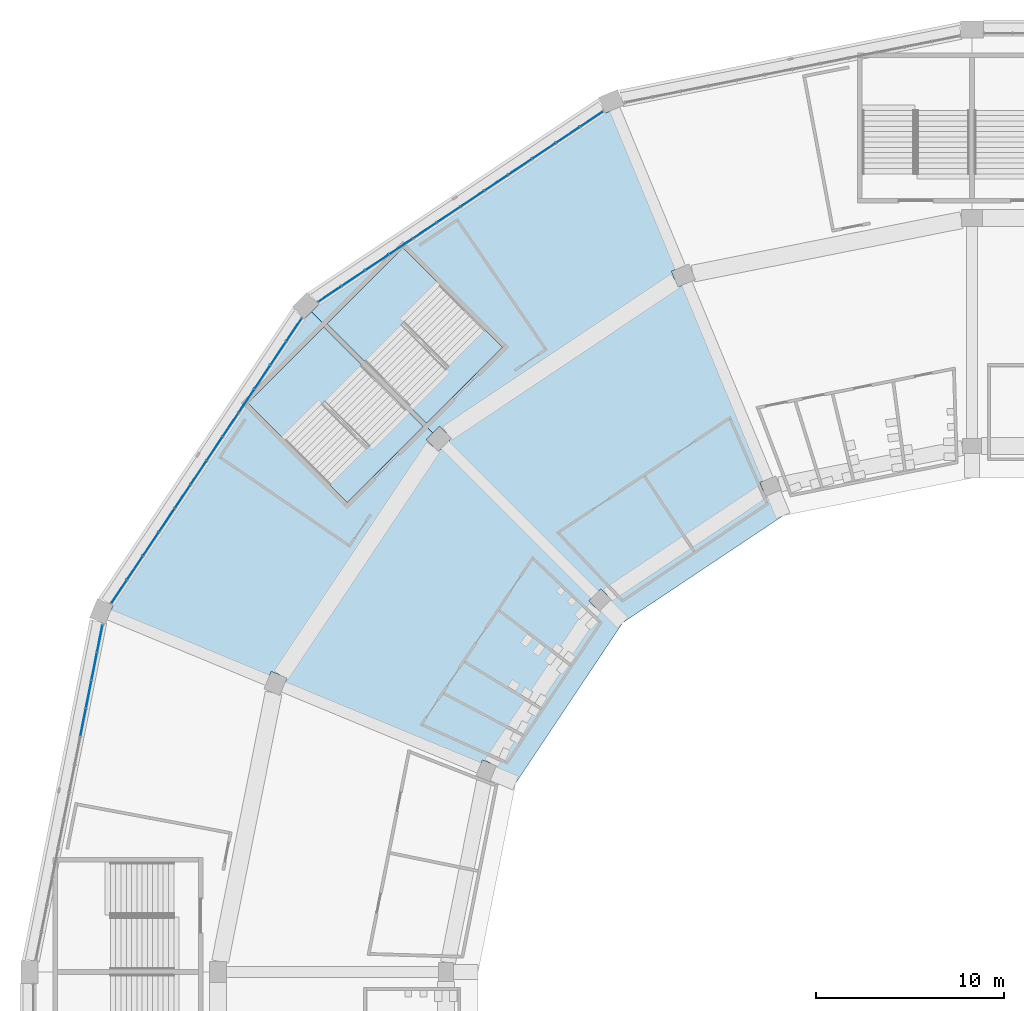
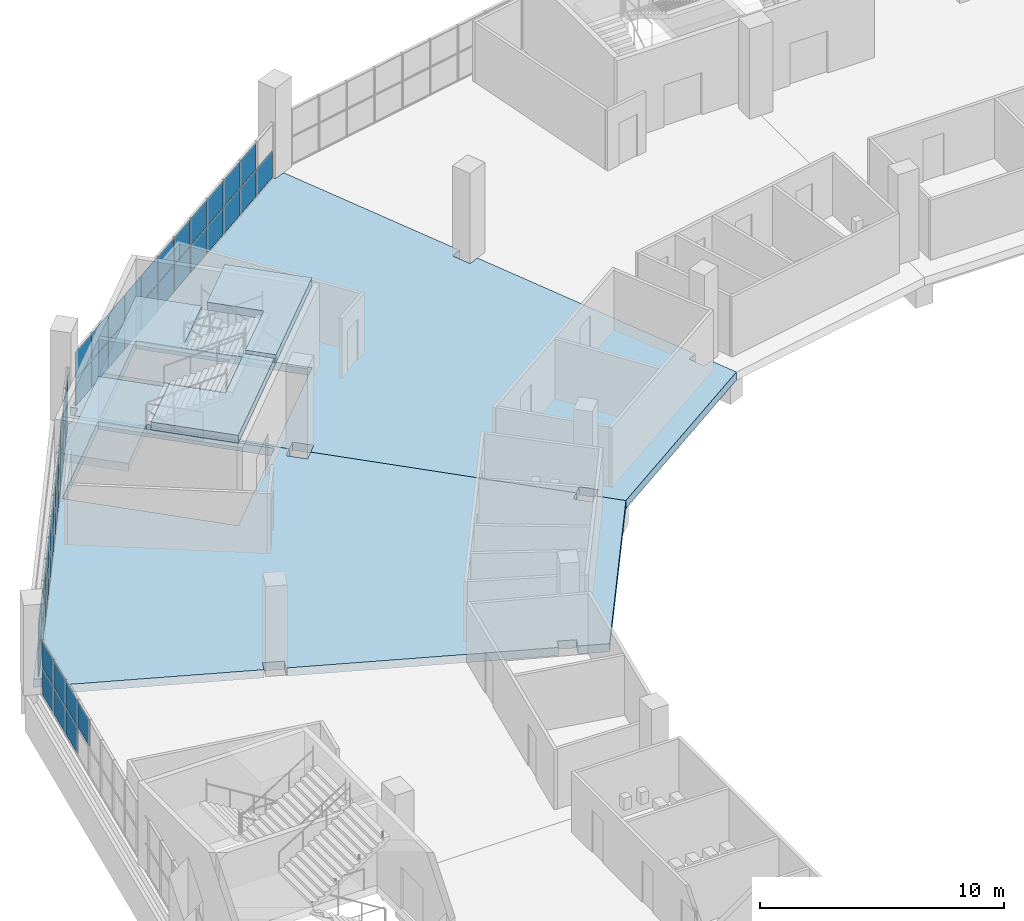
# One storey, part 68 of 199: 54 plates, 6 slabs, 5 elements without a shape of their own.
"""IFC4 building model written with IfcOpenShell, lengths in metres."""

from ifc_helpers import new_model, si_unit, direction, frame, origin, origin_2d, place, context, subcontext, project, spatial, polyline, rectangle, outline, extrude, material, layer, layer_set, type_object, element, aggregate, save


model = new_model("IFC4")

# Units and contexts
model_context = context("Model", 3, precision=1e-05, world=origin(), true_north=direction((0.0, 1.0)))
body_context = subcontext(model_context, "Body", "Model", "MODEL_VIEW")
ifc_project = project(units=[si_unit("LENGTHUNIT", "METRE"), si_unit("AREAUNIT", "SQUARE_METRE"), si_unit("VOLUMEUNIT", "CUBIC_METRE"), si_unit("PLANEANGLEUNIT", "RADIAN"), si_unit("MASSUNIT", "GRAM", prefix="KILO")], contexts=[model_context])

# Site, building, storey
site_placement = place(None, origin())
site = spatial("IfcSite", under=ifc_project, at=site_placement, CompositionType="ELEMENT")
building_placement = place(site_placement, origin())
building = spatial("IfcBuilding", under=site, at=building_placement, Name="Ogive Plaza Stadium", CompositionType="ELEMENT")
storey_placement = place(building_placement, frame((0.0, 0.0, 4.5)))
storey = spatial("IfcBuildingStorey", under=building, at=storey_placement, Name="L01", CompositionType="ELEMENT", Elevation=4.5)

# Curtain wall, plates
ifc_material_1 = material(Name="Bronze-anodised aluminium with laminated glass", Category="aluminium")
curtain_wall_type = type_object("IfcCurtainWallType", Name="Lancet curtain wall", PredefinedType="NOTDEFINED", material=ifc_material_1)
curtain_wall_1_placement = place(storey_placement, origin())
curtain_wall_1 = element("IfcCurtainWall", 1, at=curtain_wall_1_placement, inside=storey, type_object=curtain_wall_type, Name="CURTAIN WALL B28 L01", PredefinedType="NOTDEFINED")
ifc_material_2 = material(Name="Laminated glass", Category="glass")
ifc_layer_1 = layer(ifc_material_2, 0.028076171875)
ifc_layer_set_1 = layer_set([ifc_layer_1], Name="Laminated glass panel 28")
plate_type = type_object("IfcPlateType", Name="Laminated glass panel 28", PredefinedType="CURTAIN_PANEL", material=ifc_layer_set_1)
plate_1_placement = place(storey_placement, frame((-81.16259765625, 65.739990234375, 1.419921875), z_axis=(0.0, 0.0, 1.0), x_axis=(0.195090322016, 0.980785280403, 0.0)))
plate_1 = element("IfcPlate", 2, at=plate_1_placement, type_object=plate_type, Name="CW-B28-L01 panel 9.2", PredefinedType="CURTAIN_PANEL", context=body_context, shape_type="SweptSolid", body=[
    extrude(rectangle(XDim=1.4638671875, YDim=0.028076171875, at=origin_2d()), origin(), (0.0, 0.0, 1.0), 1.320068359375),
])
plate_2_placement = place(storey_placement, frame((-80.8671875, 67.224609375, 0.0498046875), z_axis=(0.0, 0.0, 1.0), x_axis=(0.195090322016, 0.980785280403, 0.0)))
plate_2 = element("IfcPlate", 3, at=plate_2_placement, type_object=plate_type, Name="CW-B28-L01 panel 10.1", PredefinedType="CURTAIN_PANEL", context=body_context, shape_type="SweptSolid", body=[
    extrude(rectangle(XDim=1.4638671875, YDim=0.028076171875, at=origin_2d()), origin(), (0.0, 0.0, 1.0), 1.320068359375),
])
plate_3_placement = place(storey_placement, frame((-80.8671875, 67.224609375, 1.419921875), z_axis=(0.0, 0.0, 1.0), x_axis=(0.195090322016, 0.980785280403, 0.0)))
plate_3 = element("IfcPlate", 4, at=plate_3_placement, type_object=plate_type, Name="CW-B28-L01 panel 10.2", PredefinedType="CURTAIN_PANEL", context=body_context, shape_type="SweptSolid", body=[
    extrude(rectangle(XDim=1.4638671875, YDim=0.028076171875, at=origin_2d()), origin(), (0.0, 0.0, 1.0), 1.320068359375),
])
plate_4_placement = place(storey_placement, frame((-80.57177734375, 68.70947265625, 0.0498046875), z_axis=(0.0, 0.0, 1.0), x_axis=(0.195090322016, 0.980785280403, 0.0)))
plate_4 = element("IfcPlate", 5, at=plate_4_placement, type_object=plate_type, Name="CW-B28-L01 panel 11.1", PredefinedType="CURTAIN_PANEL", context=body_context, shape_type="SweptSolid", body=[
    extrude(rectangle(XDim=1.4638671875, YDim=0.028076171875, at=origin_2d()), origin(), (0.0, 0.0, 1.0), 1.320068359375),
])
plate_5_placement = place(storey_placement, frame((-80.57177734375, 68.70947265625, 1.419921875), z_axis=(0.0, 0.0, 1.0), x_axis=(0.195090322016, 0.980785280403, 0.0)))
plate_5 = element("IfcPlate", 6, at=plate_5_placement, type_object=plate_type, Name="CW-B28-L01 panel 11.2", PredefinedType="CURTAIN_PANEL", context=body_context, shape_type="SweptSolid", body=[
    extrude(rectangle(XDim=1.4638671875, YDim=0.028076171875, at=origin_2d()), origin(), (0.0, 0.0, 1.0), 1.320068359375),
])
plate_6_placement = place(storey_placement, frame((-80.27880859375, 70.181884765625, 0.0498046875), z_axis=(0.0, 0.0, 1.0), x_axis=(0.195090322016, 0.980785280403, 0.0)))
plate_6 = element("IfcPlate", 7, at=plate_6_placement, type_object=plate_type, Name="CW-B28-L01 panel 12.1", PredefinedType="CURTAIN_PANEL", context=body_context, shape_type="SweptSolid", body=[
    extrude(rectangle(XDim=1.43896484375, YDim=0.028076171875, at=origin_2d()), origin(), (0.0, 0.0, 1.0), 1.320068359375),
])
plate_7_placement = place(storey_placement, frame((-80.27880859375, 70.181884765625, 1.419921875), z_axis=(0.0, 0.0, 1.0), x_axis=(0.195090322016, 0.980785280403, 0.0)))
plate_7 = element("IfcPlate", 8, at=plate_7_placement, type_object=plate_type, Name="CW-B28-L01 panel 12.2", PredefinedType="CURTAIN_PANEL", context=body_context, shape_type="SweptSolid", body=[
    extrude(rectangle(XDim=1.43896484375, YDim=0.028076171875, at=origin_2d()), origin(), (0.0, 0.0, 1.0), 1.320068359375),
])
aggregate(curtain_wall_1, [plate_1, plate_2, plate_3, plate_4, plate_5, plate_6, plate_7])

curtain_wall_2_placement = place(storey_placement, origin())
curtain_wall_2 = element("IfcCurtainWall", 9, at=curtain_wall_2_placement, inside=storey, type_object=curtain_wall_type, Name="CURTAIN WALL B29 L01", PredefinedType="NOTDEFINED")
plate_8_placement = place(storey_placement, frame((-79.253173828125, 72.68212890625, 0.0498046875), z_axis=(0.0, 0.0, 1.0), x_axis=(0.55557023302, 0.831469612303, 0.0)))
plate_8 = element("IfcPlate", 10, at=plate_8_placement, type_object=plate_type, Name="CW-B29-L01 panel 1.1", PredefinedType="CURTAIN_PANEL", context=body_context, shape_type="SweptSolid", body=[
    extrude(rectangle(XDim=1.447265625, YDim=0.028076171875, at=origin_2d()), origin(), (0.0, 0.0, 1.0), 1.320068359375),
])
plate_9_placement = place(storey_placement, frame((-79.253173828125, 72.68212890625, 1.419921875), z_axis=(0.0, 0.0, 1.0), x_axis=(0.55557023302, 0.831469612303, 0.0)))
plate_9 = element("IfcPlate", 11, at=plate_9_placement, type_object=plate_type, Name="CW-B29-L01 panel 1.2", PredefinedType="CURTAIN_PANEL", context=body_context, shape_type="SweptSolid", body=[
    extrude(rectangle(XDim=1.447265625, YDim=0.028076171875, at=origin_2d()), origin(), (0.0, 0.0, 1.0), 1.320068359375),
])
plate_10_placement = place(storey_placement, frame((-78.414306640625, 73.9375, 0.0498046875), z_axis=(0.0, 0.0, 1.0), x_axis=(0.55557023302, 0.831469612303, 0.0)))
plate_10 = element("IfcPlate", 12, at=plate_10_placement, type_object=plate_type, Name="CW-B29-L01 panel 2.1", PredefinedType="CURTAIN_PANEL", context=body_context, shape_type="SweptSolid", body=[
    extrude(rectangle(XDim=1.472412109375, YDim=0.028076171875, at=origin_2d()), origin(), (0.0, 0.0, 1.0), 1.320068359375),
])
plate_11_placement = place(storey_placement, frame((-78.414306640625, 73.9375, 1.419921875), z_axis=(0.0, 0.0, 1.0), x_axis=(0.55557023302, 0.831469612303, 0.0)))
plate_11 = element("IfcPlate", 13, at=plate_11_placement, type_object=plate_type, Name="CW-B29-L01 panel 2.2", PredefinedType="CURTAIN_PANEL", context=body_context, shape_type="SweptSolid", body=[
    extrude(rectangle(XDim=1.472412109375, YDim=0.028076171875, at=origin_2d()), origin(), (0.0, 0.0, 1.0), 1.320068359375),
])
plate_12_placement = place(storey_placement, frame((-77.568603515625, 75.203369140625, 0.0498046875), z_axis=(0.0, 0.0, 1.0), x_axis=(0.55557023302, 0.831469612303, 0.0)))
plate_12 = element("IfcPlate", 14, at=plate_12_placement, type_object=plate_type, Name="CW-B29-L01 panel 3.1", PredefinedType="CURTAIN_PANEL", context=body_context, shape_type="SweptSolid", body=[
    extrude(rectangle(XDim=1.472412109375, YDim=0.028076171875, at=origin_2d()), origin(), (0.0, 0.0, 1.0), 1.320068359375),
])
plate_13_placement = place(storey_placement, frame((-77.568603515625, 75.203369140625, 1.419921875), z_axis=(0.0, 0.0, 1.0), x_axis=(0.55557023302, 0.831469612303, 0.0)))
plate_13 = element("IfcPlate", 15, at=plate_13_placement, type_object=plate_type, Name="CW-B29-L01 panel 3.2", PredefinedType="CURTAIN_PANEL", context=body_context, shape_type="SweptSolid", body=[
    extrude(rectangle(XDim=1.472412109375, YDim=0.028076171875, at=origin_2d()), origin(), (0.0, 0.0, 1.0), 1.320068359375),
])
plate_14_placement = place(storey_placement, frame((-76.722900390625, 76.46923828125, 0.0498046875), z_axis=(0.0, 0.0, 1.0), x_axis=(0.55557023302, 0.831469612303, 0.0)))
plate_14 = element("IfcPlate", 16, at=plate_14_placement, type_object=plate_type, Name="CW-B29-L01 panel 4.1", PredefinedType="CURTAIN_PANEL", context=body_context, shape_type="SweptSolid", body=[
    extrude(rectangle(XDim=1.472412109375, YDim=0.028076171875, at=origin_2d()), origin(), (0.0, 0.0, 1.0), 1.320068359375),
])
plate_15_placement = place(storey_placement, frame((-76.722900390625, 76.46923828125, 1.419921875), z_axis=(0.0, 0.0, 1.0), x_axis=(0.55557023302, 0.831469612303, 0.0)))
plate_15 = element("IfcPlate", 17, at=plate_15_placement, type_object=plate_type, Name="CW-B29-L01 panel 4.2", PredefinedType="CURTAIN_PANEL", context=body_context, shape_type="SweptSolid", body=[
    extrude(rectangle(XDim=1.472412109375, YDim=0.028076171875, at=origin_2d()), origin(), (0.0, 0.0, 1.0), 1.320068359375),
])
plate_16_placement = place(storey_placement, frame((-75.876953125, 77.73486328125, 0.0498046875), z_axis=(0.0, 0.0, 1.0), x_axis=(0.55557023302, 0.831469612303, 0.0)))
plate_16 = element("IfcPlate", 18, at=plate_16_placement, type_object=plate_type, Name="CW-B29-L01 panel 5.1", PredefinedType="CURTAIN_PANEL", context=body_context, shape_type="SweptSolid", body=[
    extrude(rectangle(XDim=1.472412109375, YDim=0.028076171875, at=origin_2d()), origin(), (0.0, 0.0, 1.0), 1.320068359375),
])
plate_17_placement = place(storey_placement, frame((-75.876953125, 77.73486328125, 1.419921875), z_axis=(0.0, 0.0, 1.0), x_axis=(0.55557023302, 0.831469612303, 0.0)))
plate_17 = element("IfcPlate", 19, at=plate_17_placement, type_object=plate_type, Name="CW-B29-L01 panel 5.2", PredefinedType="CURTAIN_PANEL", context=body_context, shape_type="SweptSolid", body=[
    extrude(rectangle(XDim=1.472412109375, YDim=0.028076171875, at=origin_2d()), origin(), (0.0, 0.0, 1.0), 1.320068359375),
])
plate_18_placement = place(storey_placement, frame((-75.03125, 79.000732421875, 0.0498046875), z_axis=(0.0, 0.0, 1.0), x_axis=(0.55557023302, 0.831469612303, 0.0)))
plate_18 = element("IfcPlate", 20, at=plate_18_placement, type_object=plate_type, Name="CW-B29-L01 panel 6.1", PredefinedType="CURTAIN_PANEL", context=body_context, shape_type="SweptSolid", body=[
    extrude(rectangle(XDim=1.472412109375, YDim=0.028076171875, at=origin_2d()), origin(), (0.0, 0.0, 1.0), 1.320068359375),
])
plate_19_placement = place(storey_placement, frame((-75.03125, 79.000732421875, 1.419921875), z_axis=(0.0, 0.0, 1.0), x_axis=(0.55557023302, 0.831469612303, 0.0)))
plate_19 = element("IfcPlate", 21, at=plate_19_placement, type_object=plate_type, Name="CW-B29-L01 panel 6.2", PredefinedType="CURTAIN_PANEL", context=body_context, shape_type="SweptSolid", body=[
    extrude(rectangle(XDim=1.472412109375, YDim=0.028076171875, at=origin_2d()), origin(), (0.0, 0.0, 1.0), 1.320068359375),
])
plate_20_placement = place(storey_placement, frame((-74.185546875, 80.2666015625, 0.0498046875), z_axis=(0.0, 0.0, 1.0), x_axis=(0.55557023302, 0.831469612303, 0.0)))
plate_20 = element("IfcPlate", 22, at=plate_20_placement, type_object=plate_type, Name="CW-B29-L01 panel 7.1", PredefinedType="CURTAIN_PANEL", context=body_context, shape_type="SweptSolid", body=[
    extrude(rectangle(XDim=1.472412109375, YDim=0.028076171875, at=origin_2d()), origin(), (0.0, 0.0, 1.0), 1.320068359375),
])
plate_21_placement = place(storey_placement, frame((-74.185546875, 80.2666015625, 1.419921875), z_axis=(0.0, 0.0, 1.0), x_axis=(0.55557023302, 0.831469612303, 0.0)))
plate_21 = element("IfcPlate", 23, at=plate_21_placement, type_object=plate_type, Name="CW-B29-L01 panel 7.2", PredefinedType="CURTAIN_PANEL", context=body_context, shape_type="SweptSolid", body=[
    extrude(rectangle(XDim=1.472412109375, YDim=0.028076171875, at=origin_2d()), origin(), (0.0, 0.0, 1.0), 1.320068359375),
])
plate_22_placement = place(storey_placement, frame((-73.339599609375, 81.5322265625, 0.0498046875), z_axis=(0.0, 0.0, 1.0), x_axis=(0.55557023302, 0.831469612303, 0.0)))
plate_22 = element("IfcPlate", 24, at=plate_22_placement, type_object=plate_type, Name="CW-B29-L01 panel 8.1", PredefinedType="CURTAIN_PANEL", context=body_context, shape_type="SweptSolid", body=[
    extrude(rectangle(XDim=1.472412109375, YDim=0.028076171875, at=origin_2d()), origin(), (0.0, 0.0, 1.0), 1.320068359375),
])
plate_23_placement = place(storey_placement, frame((-73.339599609375, 81.5322265625, 1.419921875), z_axis=(0.0, 0.0, 1.0), x_axis=(0.55557023302, 0.831469612303, 0.0)))
plate_23 = element("IfcPlate", 25, at=plate_23_placement, type_object=plate_type, Name="CW-B29-L01 panel 8.2", PredefinedType="CURTAIN_PANEL", context=body_context, shape_type="SweptSolid", body=[
    extrude(rectangle(XDim=1.472412109375, YDim=0.028076171875, at=origin_2d()), origin(), (0.0, 0.0, 1.0), 1.320068359375),
])
plate_24_placement = place(storey_placement, frame((-72.493896484375, 82.798095703125, 0.0498046875), z_axis=(0.0, 0.0, 1.0), x_axis=(0.55557023302, 0.831469612303, 0.0)))
plate_24 = element("IfcPlate", 26, at=plate_24_placement, type_object=plate_type, Name="CW-B29-L01 panel 9.1", PredefinedType="CURTAIN_PANEL", context=body_context, shape_type="SweptSolid", body=[
    extrude(rectangle(XDim=1.472412109375, YDim=0.028076171875, at=origin_2d()), origin(), (0.0, 0.0, 1.0), 1.320068359375),
])
plate_25_placement = place(storey_placement, frame((-72.493896484375, 82.798095703125, 1.419921875), z_axis=(0.0, 0.0, 1.0), x_axis=(0.55557023302, 0.831469612303, 0.0)))
plate_25 = element("IfcPlate", 27, at=plate_25_placement, type_object=plate_type, Name="CW-B29-L01 panel 9.2", PredefinedType="CURTAIN_PANEL", context=body_context, shape_type="SweptSolid", body=[
    extrude(rectangle(XDim=1.472412109375, YDim=0.028076171875, at=origin_2d()), origin(), (0.0, 0.0, 1.0), 1.320068359375),
])
plate_26_placement = place(storey_placement, frame((-71.648193359375, 84.06396484375, 0.0498046875), z_axis=(0.0, 0.0, 1.0), x_axis=(0.55557023302, 0.831469612303, 0.0)))
plate_26 = element("IfcPlate", 28, at=plate_26_placement, type_object=plate_type, Name="CW-B29-L01 panel 10.1", PredefinedType="CURTAIN_PANEL", context=body_context, shape_type="SweptSolid", body=[
    extrude(rectangle(XDim=1.472412109375, YDim=0.028076171875, at=origin_2d()), origin(), (0.0, 0.0, 1.0), 1.320068359375),
])
plate_27_placement = place(storey_placement, frame((-71.648193359375, 84.06396484375, 1.419921875), z_axis=(0.0, 0.0, 1.0), x_axis=(0.55557023302, 0.831469612303, 0.0)))
plate_27 = element("IfcPlate", 29, at=plate_27_placement, type_object=plate_type, Name="CW-B29-L01 panel 10.2", PredefinedType="CURTAIN_PANEL", context=body_context, shape_type="SweptSolid", body=[
    extrude(rectangle(XDim=1.472412109375, YDim=0.028076171875, at=origin_2d()), origin(), (0.0, 0.0, 1.0), 1.320068359375),
])
plate_28_placement = place(storey_placement, frame((-70.802490234375, 85.32958984375, 0.0498046875), z_axis=(0.0, 0.0, 1.0), x_axis=(0.55557023302, 0.831469612303, 0.0)))
plate_28 = element("IfcPlate", 30, at=plate_28_placement, type_object=plate_type, Name="CW-B29-L01 panel 11.1", PredefinedType="CURTAIN_PANEL", context=body_context, shape_type="SweptSolid", body=[
    extrude(rectangle(XDim=1.472412109375, YDim=0.028076171875, at=origin_2d()), origin(), (0.0, 0.0, 1.0), 1.320068359375),
])
plate_29_placement = place(storey_placement, frame((-70.802490234375, 85.32958984375, 1.419921875), z_axis=(0.0, 0.0, 1.0), x_axis=(0.55557023302, 0.831469612303, 0.0)))
plate_29 = element("IfcPlate", 31, at=plate_29_placement, type_object=plate_type, Name="CW-B29-L01 panel 11.2", PredefinedType="CURTAIN_PANEL", context=body_context, shape_type="SweptSolid", body=[
    extrude(rectangle(XDim=1.472412109375, YDim=0.028076171875, at=origin_2d()), origin(), (0.0, 0.0, 1.0), 1.320068359375),
])
plate_30_placement = place(storey_placement, frame((-69.963623046875, 86.5849609375, 0.0498046875), z_axis=(0.0, 0.0, 1.0), x_axis=(0.55557023302, 0.831469612303, 0.0)))
plate_30 = element("IfcPlate", 32, at=plate_30_placement, type_object=plate_type, Name="CW-B29-L01 panel 12.1", PredefinedType="CURTAIN_PANEL", context=body_context, shape_type="SweptSolid", body=[
    extrude(rectangle(XDim=1.447265625, YDim=0.028076171875, at=origin_2d()), origin(), (0.0, 0.0, 1.0), 1.320068359375),
])
plate_31_placement = place(storey_placement, frame((-69.963623046875, 86.5849609375, 1.419921875), z_axis=(0.0, 0.0, 1.0), x_axis=(0.55557023302, 0.831469612303, 0.0)))
plate_31 = element("IfcPlate", 33, at=plate_31_placement, type_object=plate_type, Name="CW-B29-L01 panel 12.2", PredefinedType="CURTAIN_PANEL", context=body_context, shape_type="SweptSolid", body=[
    extrude(rectangle(XDim=1.447265625, YDim=0.028076171875, at=origin_2d()), origin(), (0.0, 0.0, 1.0), 1.320068359375),
])
aggregate(curtain_wall_2, [plate_8, plate_9, plate_10, plate_11, plate_12, plate_13, plate_14, plate_15, plate_16, plate_17, plate_18, plate_19, plate_20, plate_21, plate_22, plate_23, plate_24, plate_25, plate_26, plate_27, plate_28, plate_29, plate_30, plate_31])

curtain_wall_3_placement = place(storey_placement, origin())
curtain_wall_3 = element("IfcCurtainWall", 34, at=curtain_wall_3_placement, inside=storey, type_object=curtain_wall_type, Name="CURTAIN WALL B30 L01", PredefinedType="NOTDEFINED")
plate_32_placement = place(storey_placement, frame((-68.0849609375, 88.463623046875, 0.0498046875), z_axis=(0.0, 0.0, 1.0), x_axis=(0.831469612303, 0.55557023302, 0.0)))
plate_32 = element("IfcPlate", 35, at=plate_32_placement, type_object=plate_type, Name="CW-B30-L01 panel 1.1", PredefinedType="CURTAIN_PANEL", context=body_context, shape_type="SweptSolid", body=[
    extrude(rectangle(XDim=1.447265625, YDim=0.028076171875, at=origin_2d()), origin(), (0.0, 0.0, 1.0), 1.320068359375),
])
plate_33_placement = place(storey_placement, frame((-68.0849609375, 88.463623046875, 1.419921875), z_axis=(0.0, 0.0, 1.0), x_axis=(0.831469612303, 0.55557023302, 0.0)))
plate_33 = element("IfcPlate", 36, at=plate_33_placement, type_object=plate_type, Name="CW-B30-L01 panel 1.2", PredefinedType="CURTAIN_PANEL", context=body_context, shape_type="SweptSolid", body=[
    extrude(rectangle(XDim=1.447265625, YDim=0.028076171875, at=origin_2d()), origin(), (0.0, 0.0, 1.0), 1.320068359375),
])
plate_34_placement = place(storey_placement, frame((-66.82958984375, 89.302490234375, 0.0498046875), z_axis=(0.0, 0.0, 1.0), x_axis=(0.831469612303, 0.55557023302, 0.0)))
plate_34 = element("IfcPlate", 37, at=plate_34_placement, type_object=plate_type, Name="CW-B30-L01 panel 2.1", PredefinedType="CURTAIN_PANEL", context=body_context, shape_type="SweptSolid", body=[
    extrude(rectangle(XDim=1.472412109375, YDim=0.028076171875, at=origin_2d()), origin(), (0.0, 0.0, 1.0), 1.320068359375),
])
plate_35_placement = place(storey_placement, frame((-66.82958984375, 89.302490234375, 1.419921875), z_axis=(0.0, 0.0, 1.0), x_axis=(0.831469612303, 0.55557023302, 0.0)))
plate_35 = element("IfcPlate", 38, at=plate_35_placement, type_object=plate_type, Name="CW-B30-L01 panel 2.2", PredefinedType="CURTAIN_PANEL", context=body_context, shape_type="SweptSolid", body=[
    extrude(rectangle(XDim=1.472412109375, YDim=0.028076171875, at=origin_2d()), origin(), (0.0, 0.0, 1.0), 1.320068359375),
])
plate_36_placement = place(storey_placement, frame((-65.56396484375, 90.148193359375, 0.0498046875), z_axis=(0.0, 0.0, 1.0), x_axis=(0.831469612303, 0.55557023302, 0.0)))
plate_36 = element("IfcPlate", 39, at=plate_36_placement, type_object=plate_type, Name="CW-B30-L01 panel 3.1", PredefinedType="CURTAIN_PANEL", context=body_context, shape_type="SweptSolid", body=[
    extrude(rectangle(XDim=1.472412109375, YDim=0.028076171875, at=origin_2d()), origin(), (0.0, 0.0, 1.0), 1.320068359375),
])
plate_37_placement = place(storey_placement, frame((-65.56396484375, 90.148193359375, 1.419921875), z_axis=(0.0, 0.0, 1.0), x_axis=(0.831469612303, 0.55557023302, 0.0)))
plate_37 = element("IfcPlate", 40, at=plate_37_placement, type_object=plate_type, Name="CW-B30-L01 panel 3.2", PredefinedType="CURTAIN_PANEL", context=body_context, shape_type="SweptSolid", body=[
    extrude(rectangle(XDim=1.472412109375, YDim=0.028076171875, at=origin_2d()), origin(), (0.0, 0.0, 1.0), 1.320068359375),
])
plate_38_placement = place(storey_placement, frame((-64.298095703125, 90.993896484375, 0.0498046875), z_axis=(0.0, 0.0, 1.0), x_axis=(0.831469612303, 0.55557023302, 0.0)))
plate_38 = element("IfcPlate", 41, at=plate_38_placement, type_object=plate_type, Name="CW-B30-L01 panel 4.1", PredefinedType="CURTAIN_PANEL", context=body_context, shape_type="SweptSolid", body=[
    extrude(rectangle(XDim=1.472412109375, YDim=0.028076171875, at=origin_2d()), origin(), (0.0, 0.0, 1.0), 1.320068359375),
])
plate_39_placement = place(storey_placement, frame((-64.298095703125, 90.993896484375, 1.419921875), z_axis=(0.0, 0.0, 1.0), x_axis=(0.831469612303, 0.55557023302, 0.0)))
plate_39 = element("IfcPlate", 42, at=plate_39_placement, type_object=plate_type, Name="CW-B30-L01 panel 4.2", PredefinedType="CURTAIN_PANEL", context=body_context, shape_type="SweptSolid", body=[
    extrude(rectangle(XDim=1.472412109375, YDim=0.028076171875, at=origin_2d()), origin(), (0.0, 0.0, 1.0), 1.320068359375),
])
plate_40_placement = place(storey_placement, frame((-63.0322265625, 91.839599609375, 0.0498046875), z_axis=(0.0, 0.0, 1.0), x_axis=(0.831469612303, 0.55557023302, 0.0)))
plate_40 = element("IfcPlate", 43, at=plate_40_placement, type_object=plate_type, Name="CW-B30-L01 panel 5.1", PredefinedType="CURTAIN_PANEL", context=body_context, shape_type="SweptSolid", body=[
    extrude(rectangle(XDim=1.472412109375, YDim=0.028076171875, at=origin_2d()), origin(), (0.0, 0.0, 1.0), 1.320068359375),
])
plate_41_placement = place(storey_placement, frame((-63.0322265625, 91.839599609375, 1.419921875), z_axis=(0.0, 0.0, 1.0), x_axis=(0.831469612303, 0.55557023302, 0.0)))
plate_41 = element("IfcPlate", 44, at=plate_41_placement, type_object=plate_type, Name="CW-B30-L01 panel 5.2", PredefinedType="CURTAIN_PANEL", context=body_context, shape_type="SweptSolid", body=[
    extrude(rectangle(XDim=1.472412109375, YDim=0.028076171875, at=origin_2d()), origin(), (0.0, 0.0, 1.0), 1.320068359375),
])
plate_42_placement = place(storey_placement, frame((-61.7666015625, 92.685546875, 0.0498046875), z_axis=(0.0, 0.0, 1.0), x_axis=(0.831469612303, 0.55557023302, 0.0)))
plate_42 = element("IfcPlate", 45, at=plate_42_placement, type_object=plate_type, Name="CW-B30-L01 panel 6.1", PredefinedType="CURTAIN_PANEL", context=body_context, shape_type="SweptSolid", body=[
    extrude(rectangle(XDim=1.472412109375, YDim=0.028076171875, at=origin_2d()), origin(), (0.0, 0.0, 1.0), 1.320068359375),
])
plate_43_placement = place(storey_placement, frame((-61.7666015625, 92.685546875, 1.419921875), z_axis=(0.0, 0.0, 1.0), x_axis=(0.831469612303, 0.55557023302, 0.0)))
plate_43 = element("IfcPlate", 46, at=plate_43_placement, type_object=plate_type, Name="CW-B30-L01 panel 6.2", PredefinedType="CURTAIN_PANEL", context=body_context, shape_type="SweptSolid", body=[
    extrude(rectangle(XDim=1.472412109375, YDim=0.028076171875, at=origin_2d()), origin(), (0.0, 0.0, 1.0), 1.320068359375),
])
plate_44_placement = place(storey_placement, frame((-60.500732421875, 93.53125, 0.0498046875), z_axis=(0.0, 0.0, 1.0), x_axis=(0.831469612303, 0.55557023302, 0.0)))
plate_44 = element("IfcPlate", 47, at=plate_44_placement, type_object=plate_type, Name="CW-B30-L01 panel 7.1", PredefinedType="CURTAIN_PANEL", context=body_context, shape_type="SweptSolid", body=[
    extrude(rectangle(XDim=1.472412109375, YDim=0.028076171875, at=origin_2d()), origin(), (0.0, 0.0, 1.0), 1.320068359375),
])
plate_45_placement = place(storey_placement, frame((-60.500732421875, 93.53125, 1.419921875), z_axis=(0.0, 0.0, 1.0), x_axis=(0.831469612303, 0.55557023302, 0.0)))
plate_45 = element("IfcPlate", 48, at=plate_45_placement, type_object=plate_type, Name="CW-B30-L01 panel 7.2", PredefinedType="CURTAIN_PANEL", context=body_context, shape_type="SweptSolid", body=[
    extrude(rectangle(XDim=1.472412109375, YDim=0.028076171875, at=origin_2d()), origin(), (0.0, 0.0, 1.0), 1.320068359375),
])
plate_46_placement = place(storey_placement, frame((-59.23486328125, 94.376953125, 0.0498046875), z_axis=(0.0, 0.0, 1.0), x_axis=(0.831469612303, 0.55557023302, 0.0)))
plate_46 = element("IfcPlate", 49, at=plate_46_placement, type_object=plate_type, Name="CW-B30-L01 panel 8.1", PredefinedType="CURTAIN_PANEL", context=body_context, shape_type="SweptSolid", body=[
    extrude(rectangle(XDim=1.472412109375, YDim=0.028076171875, at=origin_2d()), origin(), (0.0, 0.0, 1.0), 1.320068359375),
])
plate_47_placement = place(storey_placement, frame((-59.23486328125, 94.376953125, 1.419921875), z_axis=(0.0, 0.0, 1.0), x_axis=(0.831469612303, 0.55557023302, 0.0)))
plate_47 = element("IfcPlate", 50, at=plate_47_placement, type_object=plate_type, Name="CW-B30-L01 panel 8.2", PredefinedType="CURTAIN_PANEL", context=body_context, shape_type="SweptSolid", body=[
    extrude(rectangle(XDim=1.472412109375, YDim=0.028076171875, at=origin_2d()), origin(), (0.0, 0.0, 1.0), 1.320068359375),
])
plate_48_placement = place(storey_placement, frame((-57.96923828125, 95.222900390625, 0.0498046875), z_axis=(0.0, 0.0, 1.0), x_axis=(0.831469612303, 0.55557023302, 0.0)))
plate_48 = element("IfcPlate", 51, at=plate_48_placement, type_object=plate_type, Name="CW-B30-L01 panel 9.1", PredefinedType="CURTAIN_PANEL", context=body_context, shape_type="SweptSolid", body=[
    extrude(rectangle(XDim=1.472412109375, YDim=0.028076171875, at=origin_2d()), origin(), (0.0, 0.0, 1.0), 1.320068359375),
])
plate_49_placement = place(storey_placement, frame((-57.96923828125, 95.222900390625, 1.419921875), z_axis=(0.0, 0.0, 1.0), x_axis=(0.831469612303, 0.55557023302, 0.0)))
plate_49 = element("IfcPlate", 52, at=plate_49_placement, type_object=plate_type, Name="CW-B30-L01 panel 9.2", PredefinedType="CURTAIN_PANEL", context=body_context, shape_type="SweptSolid", body=[
    extrude(rectangle(XDim=1.472412109375, YDim=0.028076171875, at=origin_2d()), origin(), (0.0, 0.0, 1.0), 1.320068359375),
])
plate_50_placement = place(storey_placement, frame((-56.703369140625, 96.068603515625, 0.0498046875), z_axis=(0.0, 0.0, 1.0), x_axis=(0.831469612303, 0.55557023302, 0.0)))
plate_50 = element("IfcPlate", 53, at=plate_50_placement, type_object=plate_type, Name="CW-B30-L01 panel 10.1", PredefinedType="CURTAIN_PANEL", context=body_context, shape_type="SweptSolid", body=[
    extrude(rectangle(XDim=1.472412109375, YDim=0.028076171875, at=origin_2d()), origin(), (0.0, 0.0, 1.0), 1.320068359375),
])
plate_51_placement = place(storey_placement, frame((-56.703369140625, 96.068603515625, 1.419921875), z_axis=(0.0, 0.0, 1.0), x_axis=(0.831469612303, 0.55557023302, 0.0)))
plate_51 = element("IfcPlate", 54, at=plate_51_placement, type_object=plate_type, Name="CW-B30-L01 panel 10.2", PredefinedType="CURTAIN_PANEL", context=body_context, shape_type="SweptSolid", body=[
    extrude(rectangle(XDim=1.472412109375, YDim=0.028076171875, at=origin_2d()), origin(), (0.0, 0.0, 1.0), 1.320068359375),
])
plate_52_placement = place(storey_placement, frame((-55.4375, 96.914306640625, 0.0498046875), z_axis=(0.0, 0.0, 1.0), x_axis=(0.831469612303, 0.55557023302, 0.0)))
plate_52 = element("IfcPlate", 55, at=plate_52_placement, type_object=plate_type, Name="CW-B30-L01 panel 11.1", PredefinedType="CURTAIN_PANEL", context=body_context, shape_type="SweptSolid", body=[
    extrude(rectangle(XDim=1.472412109375, YDim=0.028076171875, at=origin_2d()), origin(), (0.0, 0.0, 1.0), 1.320068359375),
])
plate_53_placement = place(storey_placement, frame((-55.4375, 96.914306640625, 1.419921875), z_axis=(0.0, 0.0, 1.0), x_axis=(0.831469612303, 0.55557023302, 0.0)))
plate_53 = element("IfcPlate", 56, at=plate_53_placement, type_object=plate_type, Name="CW-B30-L01 panel 11.2", PredefinedType="CURTAIN_PANEL", context=body_context, shape_type="SweptSolid", body=[
    extrude(rectangle(XDim=1.472412109375, YDim=0.028076171875, at=origin_2d()), origin(), (0.0, 0.0, 1.0), 1.320068359375),
])
plate_54_placement = place(storey_placement, frame((-54.18212890625, 97.753173828125, 0.0498046875), z_axis=(0.0, 0.0, 1.0), x_axis=(0.831469612303, 0.55557023302, 0.0)))
plate_54 = element("IfcPlate", 57, at=plate_54_placement, type_object=plate_type, Name="CW-B30-L01 panel 12.1", PredefinedType="CURTAIN_PANEL", context=body_context, shape_type="SweptSolid", body=[
    extrude(rectangle(XDim=1.447265625, YDim=0.028076171875, at=origin_2d()), origin(), (0.0, 0.0, 1.0), 1.320068359375),
])
aggregate(curtain_wall_3, [plate_32, plate_33, plate_34, plate_35, plate_36, plate_37, plate_38, plate_39, plate_40, plate_41, plate_42, plate_43, plate_44, plate_45, plate_46, plate_47, plate_48, plate_49, plate_50, plate_51, plate_52, plate_53, plate_54])

# Slabs
ifc_material_3 = material(Name="Concrete C40/50", Category="concrete")
ifc_layer_2 = layer(ifc_material_3, 0.409912109375)
ifc_layer_set_2 = layer_set([ifc_layer_2], Name="Concrete C40/50")
slab_type_1 = type_object("IfcSlabType", Name="RC floor slab 410", PredefinedType="FLOOR", material=ifc_layer_set_2)
slab_1_placement = place(storey_placement, frame((0.0, 0.0, -0.409912109375)))
element("IfcSlab", 58, at=slab_1_placement, inside=storey, type_object=slab_type_1, Name="Floor slab L01 B29", PredefinedType="FLOOR", context=body_context, shape_type="SweptSolid", body=[
    extrude(outline(polyline([(-53.445556640625, 71.945556640625), (-53.763671875, 71.627197265625), (-54.329345703125, 72.19287109375), (-54.01123046875, 72.51123046875), (-61.966064453125, 80.466064453125), (-62.319580078125, 80.112548828125), (-62.9560546875, 80.7490234375), (-62.6025390625, 81.1025390625), (-69.037109375, 87.537109375), (-69.426025390625, 87.148193359375), (-69.6669921875, 87.38916015625), (-79.88232421875, 72.100341796875), (-79.56787109375, 71.97021484375), (-79.7783203125, 71.4619140625), (-71.370849609375, 67.9794921875), (-71.1796875, 68.44140625), (-70.34814453125, 68.09716796875), (-70.53955078125, 67.635009765625), (-60.145751953125, 63.329833984375), (-59.9736328125, 63.74560546875), (-59.234375, 63.439453125), (-59.40673828125, 63.023681640625), (-58.20556640625, 62.5263671875), (-52.526123046875, 71.026123046875), (-53.445556640625, 71.945556640625)]), holes=[polyline([(-67.145751953125, 77.40771484375), (-63.115234375, 81.438232421875), (-68.39013671875, 86.71337890625), (-72.420654296875, 82.682861328125), (-67.145751953125, 77.40771484375)])]), origin(), (0.0, 0.0, 1.0), 0.409912109375),
])
slab_2_placement = place(storey_placement, frame((0.0, 0.0, -0.409912109375)))
element("IfcSlab", 59, at=slab_2_placement, inside=storey, type_object=slab_type_1, Name="Floor slab L01 B30", PredefinedType="FLOOR", context=body_context, shape_type="SweptSolid", body=[
    extrude(outline(polyline([(-44.523681640625, 77.90673828125), (-44.939453125, 77.734375), (-45.24560546875, 78.4736328125), (-44.829833984375, 78.645751953125), (-49.135009765625, 89.03955078125), (-49.59716796875, 88.84814453125), (-49.94140625, 89.6796875), (-49.4794921875, 89.870849609375), (-52.9619140625, 98.2783203125), (-53.47021484375, 98.06787109375), (-53.600341796875, 98.38232421875), (-68.88916015625, 88.1669921875), (-68.648193359375, 87.926025390625), (-69.037109375, 87.537109375), (-62.6025390625, 81.1025390625), (-62.2490234375, 81.4560546875), (-61.612548828125, 80.819580078125), (-61.966064453125, 80.466064453125), (-54.01123046875, 72.51123046875), (-53.69287109375, 72.829345703125), (-53.127197265625, 72.263671875), (-53.445556640625, 71.945556640625), (-52.526123046875, 71.026123046875), (-44.0263671875, 76.70556640625), (-44.523681640625, 77.90673828125)]), holes=[polyline([(-62.938232421875, 81.615234375), (-58.90771484375, 85.645751953125), (-64.182861328125, 90.920654296875), (-68.21337890625, 86.89013671875), (-62.938232421875, 81.615234375)])]), origin(), (0.0, 0.0, 1.0), 0.409912109375),
])

# Stair, slabs
ifc_material_4 = material(Name="Concrete C40/50", Category="concrete")
stair_type = type_object("IfcStairType", Name="Exit stair", PredefinedType="STRAIGHT_RUN_STAIR", material=ifc_material_4)
stair_1_placement = place(storey_placement, origin())
stair_1 = element("IfcStair", 60, at=stair_1_placement, inside=storey, type_object=stair_type, Name="Exit stair ST30A L01 to L02", PredefinedType="STRAIGHT_RUN_STAIR")
ifc_material_5 = material(Name="Concrete C40/50", Category="concrete")
ifc_layer_3 = layer(ifc_material_5, 0.39990234375)
ifc_layer_set_3 = layer_set([ifc_layer_3], Name="Concrete C40/50")
slab_type_2 = type_object("IfcSlabType", Name="Stair landing", PredefinedType="LANDING", material=ifc_layer_set_3)
slab_3_placement = place(storey_placement, frame((0.0, 0.0, 1.85009765625)))
slab_3 = element("IfcSlab", 61, at=slab_3_placement, type_object=slab_type_2, Name="ST30A landing 1", PredefinedType="LANDING", context=body_context, shape_type="SweptSolid", body=[
    extrude(outline(polyline([(-68.21337890625, 86.89013671875), (-64.182861328125, 90.920654296875), (-62.202880859375, 88.940673828125), (-64.253662109375, 86.89013671875), (-62.556396484375, 85.193115234375), (-64.536376953125, 83.213134765625), (-66.2333984375, 84.91015625), (-68.21337890625, 86.89013671875)])), origin(), (0.0, 0.0, 1.0), 0.39990234375),
])
slab_4_placement = place(storey_placement, frame((0.0, 0.0, 4.10009765625)))
slab_4 = element("IfcSlab", 62, at=slab_4_placement, type_object=slab_type_2, Name="ST30A landing 2", PredefinedType="LANDING", context=body_context, shape_type="SweptSolid", body=[
    extrude(outline(polyline([(-63.504150390625, 86.281982421875), (-61.524169921875, 88.261962890625), (-59.8271484375, 86.56494140625), (-58.90771484375, 85.645751953125), (-62.938232421875, 81.615234375), (-63.857666015625, 82.534423828125), (-61.806884765625, 84.5849609375), (-63.504150390625, 86.281982421875)])), origin(), (0.0, 0.0, 1.0), 0.39990234375),
])
aggregate(stair_1, [slab_3, slab_4])

stair_2_placement = place(storey_placement, origin())
stair_2 = element("IfcStair", 63, at=stair_2_placement, inside=storey, type_object=stair_type, Name="Exit stair ST30B L01 to L02", PredefinedType="STRAIGHT_RUN_STAIR")
slab_5_placement = place(storey_placement, frame((0.0, 0.0, 1.85009765625)))
slab_5 = element("IfcSlab", 64, at=slab_5_placement, type_object=slab_type_2, Name="ST30B landing 1", PredefinedType="LANDING", context=body_context, shape_type="SweptSolid", body=[
    extrude(outline(polyline([(-64.713134765625, 83.036376953125), (-66.693115234375, 81.056396484375), (-68.39013671875, 82.753662109375), (-70.440673828125, 80.702880859375), (-72.420654296875, 82.682861328125), (-68.39013671875, 86.71337890625), (-66.41015625, 84.7333984375), (-64.713134765625, 83.036376953125)])), origin(), (0.0, 0.0, 1.0), 0.39990234375),
])
slab_6_placement = place(storey_placement, frame((0.0, 0.0, 4.10009765625)))
slab_6 = element("IfcSlab", 65, at=slab_6_placement, type_object=slab_type_2, Name="ST30B landing 2", PredefinedType="LANDING", context=body_context, shape_type="SweptSolid", body=[
    extrude(outline(polyline([(-64.034423828125, 82.357666015625), (-63.115234375, 81.438232421875), (-67.145751953125, 77.40771484375), (-68.06494140625, 78.3271484375), (-69.761962890625, 80.024169921875), (-67.781982421875, 82.004150390625), (-66.0849609375, 80.306884765625), (-64.034423828125, 82.357666015625)])), origin(), (0.0, 0.0, 1.0), 0.39990234375),
])
aggregate(stair_2, [slab_5, slab_6])

save(model, "model.ifc")
